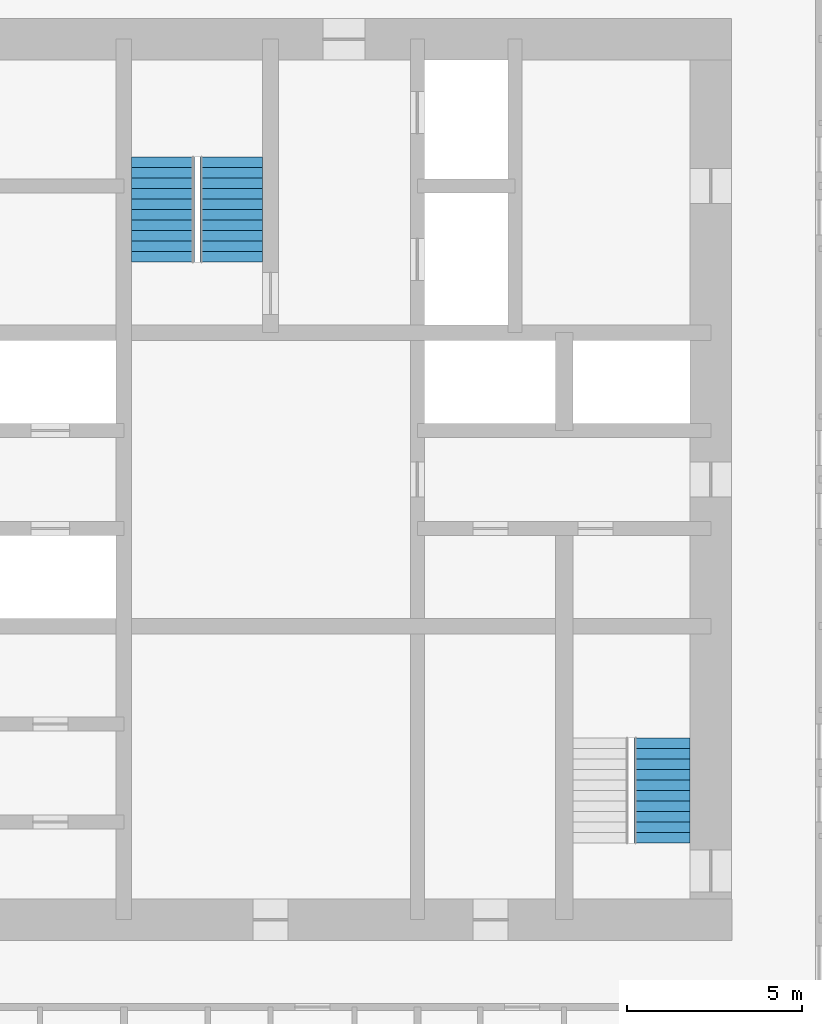
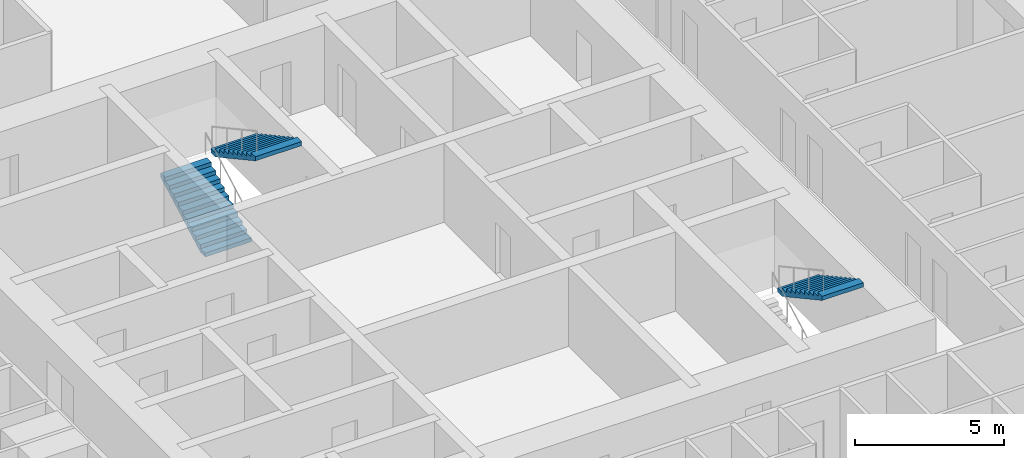
# One storey, part 12 of 14: 3 stair flights, 2 elements without a shape of their own.
"""IFC4 building model written with IfcOpenShell, lengths in metres."""

from ifc_helpers import new_model, si_unit, direction, frame, origin, place, context, subcontext, project, spatial, polyline, outline, extrude, material, type_object, element, aggregate, save


model = new_model("IFC4")

# Units and contexts
model_context = context("Model", 3, precision=1e-05, world=origin(), true_north=direction((0.0, 1.0)))
body_context = subcontext(model_context, "Body", "Model", "MODEL_VIEW")
ifc_project = project(units=[si_unit("LENGTHUNIT", "METRE"), si_unit("AREAUNIT", "SQUARE_METRE"), si_unit("VOLUMEUNIT", "CUBIC_METRE"), si_unit("PLANEANGLEUNIT", "RADIAN"), si_unit("MASSUNIT", "GRAM", prefix="KILO")], contexts=[model_context])

# Site, building, storey
site_placement = place(None, origin())
site = spatial("IfcSite", under=ifc_project, at=site_placement, CompositionType="ELEMENT")
building_placement = place(site_placement, origin())
building = spatial("IfcBuilding", under=site, at=building_placement, Name="Dunama Terrace Hotel", CompositionType="ELEMENT")
storey_placement = place(building_placement, frame((0.0, 0.0, 159.0)))
storey = spatial("IfcBuildingStorey", under=building, at=storey_placement, Name="L40", CompositionType="ELEMENT", Elevation=159.0)

# Stair, stair flights
ifc_material_1 = material(Name="Concrete C40/50", Category="concrete")
stair_type_1 = type_object("IfcStairType", Name="Stair ST1-3600-1800", PredefinedType="HALF_TURN_STAIR", material=ifc_material_1)
stair_1_placement = place(storey_placement, origin())
stair_1 = element("IfcStair", 1, at=stair_1_placement, inside=storey, type_object=stair_type_1, Name="Stair ST1 L40", PredefinedType="HALF_TURN_STAIR")
ifc_material_2 = material(Name="Concrete C40/50", Category="concrete")
stair_flight_type_1 = type_object("IfcStairFlightType", Name="Stair flight ST1-3600-1800", PredefinedType="STRAIGHT", material=ifc_material_2)
stair_flight_1_placement = place(storey_placement, frame((26.324951171875, 35.625, 0.0), z_axis=(0.0, 0.0, 1.0), x_axis=(0.0, 1.0, 0.0)))
stair_flight_1 = element("IfcStairFlight", 2, at=stair_flight_1_placement, type_object=stair_flight_type_1, Name="ST1 flight 1", NumberOfRisers=11, NumberOfTreads=10, PredefinedType="STRAIGHT", RiserHeight=0.163636364, TreadLength=0.3, context=body_context, shape_type="SweptSolid", body=[
    extrude(outline(polyline([(0.0, 0.0), (0.0, 0.16357421875), (0.300048828125, 0.16357421875), (0.300048828125, 0.327392578125), (0.60009765625, 0.327392578125), (0.60009765625, 0.490966796875), (0.89990234375, 0.490966796875), (0.89990234375, 0.654541015625), (1.199951171875, 0.654541015625), (1.199951171875, 0.818115234375), (1.5, 0.818115234375), (1.5, 0.98193359375), (1.800048828125, 0.98193359375), (1.800048828125, 1.1455078125), (2.10009765625, 1.1455078125), (2.10009765625, 1.30908203125), (2.39990234375, 1.30908203125), (2.39990234375, 1.47265625), (2.699951171875, 1.47265625), (2.699951171875, 1.636474609375), (3.0, 1.636474609375), (3.0, 1.800048828125), (3.0, 1.465576171875), (0.31298828125, 0.0), (0.0, 0.0)])), frame((0.0, 0.89990234375, 0.0), z_axis=(0.0, -1.0, 0.0), x_axis=(1.0, 0.0, 0.0)), (0.0, 0.0, 1.0), 1.800048828125),
])
stair_flight_2_placement = place(storey_placement, frame((28.27490234375, 38.625, 1.800048828125), z_axis=(0.0, 0.0, 1.0), x_axis=(0.0, -1.0, 0.0)))
stair_flight_2 = element("IfcStairFlight", 3, at=stair_flight_2_placement, type_object=stair_flight_type_1, Name="ST1 flight 2", NumberOfRisers=11, NumberOfTreads=10, PredefinedType="STRAIGHT", RiserHeight=0.163636364, TreadLength=0.3, context=body_context, shape_type="SweptSolid", body=[
    extrude(outline(polyline([(0.0, 0.0), (0.0, 0.16357421875), (0.300048828125, 0.16357421875), (0.300048828125, 0.327392578125), (0.60009765625, 0.327392578125), (0.60009765625, 0.490966796875), (0.89990234375, 0.490966796875), (0.89990234375, 0.654541015625), (1.199951171875, 0.654541015625), (1.199951171875, 0.818115234375), (1.5, 0.818115234375), (1.5, 0.98193359375), (1.800048828125, 0.98193359375), (1.800048828125, 1.1455078125), (2.10009765625, 1.1455078125), (2.10009765625, 1.30908203125), (2.39990234375, 1.30908203125), (2.39990234375, 1.47265625), (2.699951171875, 1.47265625), (2.699951171875, 1.636474609375), (3.0, 1.636474609375), (3.0, 1.800048828125), (3.0, 1.465576171875), (0.31298828125, 0.0), (0.0, 0.0)])), frame((0.0, 0.89990234375, 0.0), z_axis=(0.0, -1.0, 0.0), x_axis=(1.0, 0.0, 0.0)), (0.0, 0.0, 1.0), 1.800048828125),
])
aggregate(stair_1, [stair_flight_1, stair_flight_2])

# Stair, stair flight
ifc_material_3 = material(Name="Concrete C40/50", Category="concrete")
stair_type_2 = type_object("IfcStairType", Name="Stair ST2-3600-1600", PredefinedType="HALF_TURN_STAIR", material=ifc_material_3)
stair_2_placement = place(storey_placement, origin())
stair_2 = element("IfcStair", 4, at=stair_2_placement, inside=storey, type_object=stair_type_2, Name="Stair ST2 L40", PredefinedType="HALF_TURN_STAIR")
ifc_material_4 = material(Name="Concrete C40/50", Category="concrete")
stair_flight_type_2 = type_object("IfcStairFlightType", Name="Stair flight ST2-3600-1600", PredefinedType="STRAIGHT", material=ifc_material_4)
stair_flight_3_placement = place(storey_placement, frame((40.60009765625, 22.0, 1.800048828125), z_axis=(0.0, 0.0, 1.0), x_axis=(0.0, -1.0, 0.0)))
stair_flight_3 = element("IfcStairFlight", 5, at=stair_flight_3_placement, type_object=stair_flight_type_2, Name="ST2 flight 2", NumberOfRisers=11, NumberOfTreads=10, PredefinedType="STRAIGHT", RiserHeight=0.163636364, TreadLength=0.3, context=body_context, shape_type="SweptSolid", body=[
    extrude(outline(polyline([(0.0, 0.0), (0.0, 0.16357421875), (0.300048828125, 0.16357421875), (0.300048828125, 0.327392578125), (0.60009765625, 0.327392578125), (0.60009765625, 0.490966796875), (0.89990234375, 0.490966796875), (0.89990234375, 0.654541015625), (1.199951171875, 0.654541015625), (1.199951171875, 0.818115234375), (1.5, 0.818115234375), (1.5, 0.98193359375), (1.800048828125, 0.98193359375), (1.800048828125, 1.1455078125), (2.10009765625, 1.1455078125), (2.10009765625, 1.30908203125), (2.39990234375, 1.30908203125), (2.39990234375, 1.47265625), (2.699951171875, 1.47265625), (2.699951171875, 1.636474609375), (3.0, 1.636474609375), (3.0, 1.800048828125), (3.0, 1.465576171875), (0.31298828125, 0.0), (0.0, 0.0)])), frame((0.0, 0.800048828125, 0.0), z_axis=(0.0, -1.0, 0.0), x_axis=(1.0, 0.0, 0.0)), (0.0, 0.0, 1.0), 1.60009765625),
])
aggregate(stair_2, [stair_flight_3])

save(model, "model.ifc")
